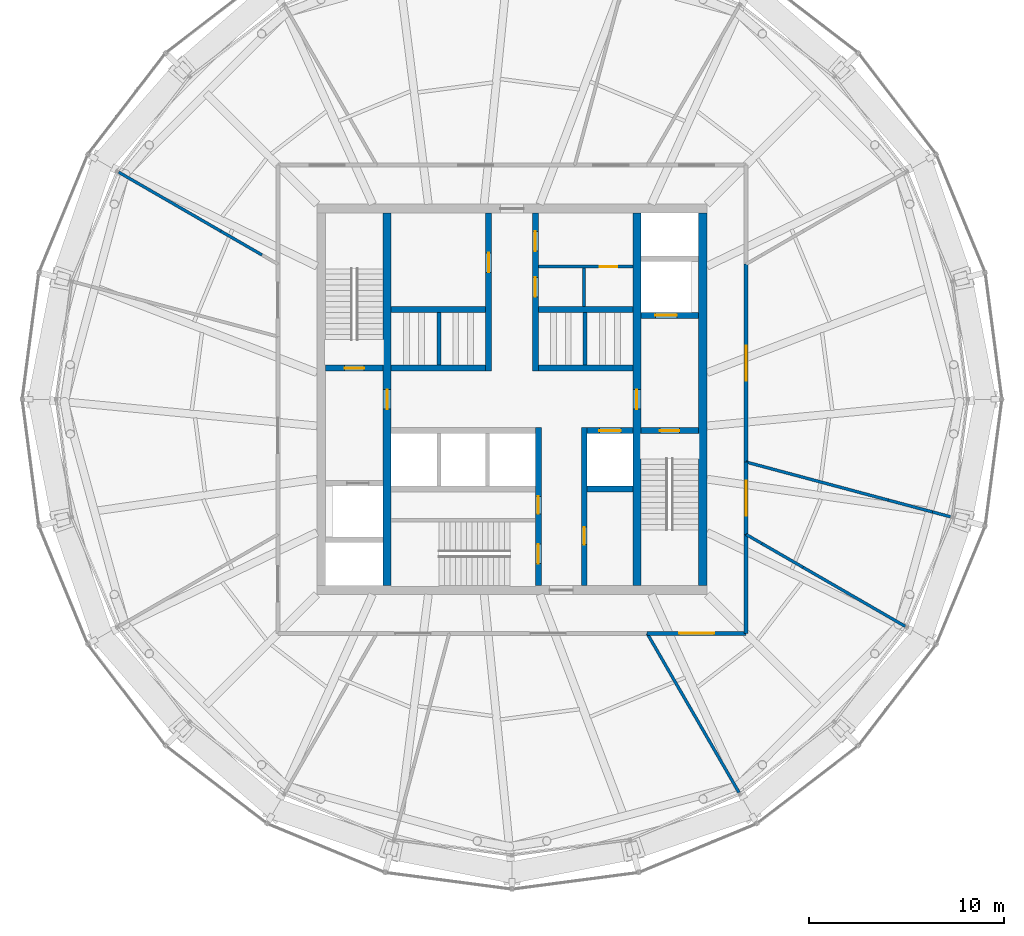
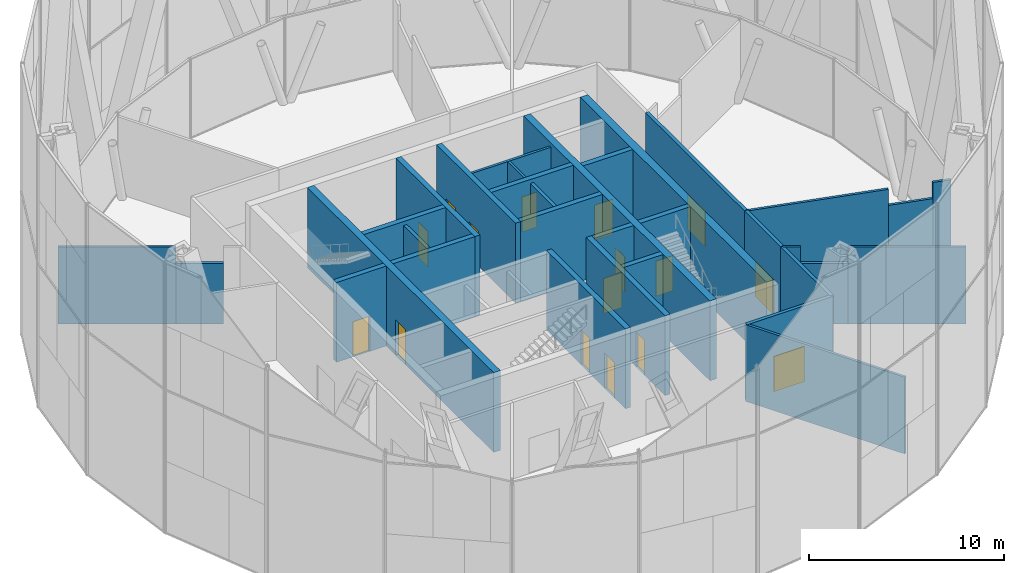
# One storey, part 13 of 15: 33 walls, 16 doors, 16 openings.
"""IFC4 building model written with IfcOpenShell, lengths in metres."""

from ifc_helpers import new_model, si_unit, direction, frame, frame_2d, origin, place, context, subcontext, project, spatial, rectangle, extrude, material, layer, layer_set, type_object, element, fill, save


model = new_model("IFC4")

# Units and contexts
model_context = context("Model", 3, precision=1e-05, world=origin(), true_north=direction((0.0, 1.0)))
body_context = subcontext(model_context, "Body", "Model", "MODEL_VIEW")
ifc_project = project(units=[si_unit("LENGTHUNIT", "METRE"), si_unit("AREAUNIT", "SQUARE_METRE"), si_unit("VOLUMEUNIT", "CUBIC_METRE"), si_unit("PLANEANGLEUNIT", "RADIAN"), si_unit("MASSUNIT", "GRAM", prefix="KILO")], contexts=[model_context])

# Site, building, storey
site_placement = place(None, origin())
site = spatial("IfcSite", under=ifc_project, at=site_placement, CompositionType="ELEMENT")
building_placement = place(site_placement, origin())
building = spatial("IfcBuilding", under=site, at=building_placement, Name="Golbaran Civic Tower", CompositionType="ELEMENT")
storey_placement = place(building_placement, frame((0.0, 0.0, 215.0)))
storey = spatial("IfcBuildingStorey", under=building, at=storey_placement, Name="L52", CompositionType="ELEMENT", Elevation=215.0)

# Wall, opening, door
ifc_material_1 = material(Name="Concrete block", Category="concrete")
ifc_layer_1 = layer(ifc_material_1, 0.14990234375, Name="Concrete block")
ifc_layer_set_1 = layer_set([ifc_layer_1], Name="Concrete block")
wall_type_1 = type_object("IfcWallType", Name="BLOCKWORK PARTITION 150", PredefinedType="PARTITIONING", material=ifc_layer_set_1)
wall_1_placement = place(storey_placement, frame((1.35009765625, 6.800048828125, 0.0), z_axis=(0.0, 0.0, 1.0), x_axis=(1.0, 0.0, 0.0)))
wall_1 = element("IfcWall", 1, at=wall_1_placement, inside=storey, type_object=wall_type_1, Name="Toilet block partition TN1 L52", PredefinedType="PARTITIONING", context=body_context, shape_type="SweptSolid", body=[
    extrude(rectangle(XDim=4.849853515625, YDim=0.14990234375, at=frame_2d((2.4248046875, 0.0))), origin(), (0.0, 0.0, 1.0), 4.75),
])
opening_1_placement = place(wall_1_placement, frame((3.14990234375, 0.0, 0.0)))
opening_1 = element("IfcOpeningElement", 2, at=opening_1_placement, cuts=wall_1, Name="Opening L52.CLN", PredefinedType="OPENING", context=body_context, shape_type="SweptSolid", body=[
    extrude(rectangle(XDim=0.89990234375, YDim=2.199951171875, at=frame_2d((0.449951171875, 1.10009765625))), frame((0.0, 0.0849609375, 0.0), z_axis=(0.0, -1.0, 0.0), x_axis=(1.0, 0.0, 0.0)), (0.0, 0.0, 1.0), 0.169921875),
])
ifc_material_2 = material(Name="Timber door set in steel frame", Category="steel")
door_type_1 = type_object("IfcDoorType", Name="RISER DOOR 900x2200", OperationType="SINGLE_SWING_LEFT", PredefinedType="DOOR", material=ifc_material_2)
door_1_placement = place(opening_1_placement, origin())
door_1 = element("IfcDoor", 3, at=door_1_placement, inside=storey, type_object=door_type_1, Name="Cleaner's Store door", OperationType="SINGLE_SWING_RIGHT", OverallHeight=2.199951171875, OverallWidth=0.89990234375, PredefinedType="DOOR", context=body_context, shape_type="SweptSolid", body=[
    extrude(rectangle(XDim=0.89990234375, YDim=2.199951171875, at=frame_2d((0.449951171875, 1.10009765625))), frame((0.0, 0.02490234375, 0.0), z_axis=(0.0, -1.0, 0.0), x_axis=(1.0, 0.0, 0.0)), (0.0, 0.0, 1.0), 0.050048828125),
])
fill(opening_1, door_1)

# Wall
wall_2_placement = place(storey_placement, frame((3.699951171875, 4.75, 0.0), z_axis=(0.0, 0.0, 1.0), x_axis=(0.0, 1.0, 0.0)))
element("IfcWall", 4, at=wall_2_placement, inside=storey, type_object=wall_type_1, Name="Toilet block partition TN2 L52", PredefinedType="PARTITIONING", context=body_context, shape_type="SweptSolid", body=[
    extrude(rectangle(XDim=1.97509765625, YDim=0.14990234375, at=frame_2d((0.987548828125, 0.0))), origin(), (0.0, 0.0, 1.0), 4.75),
])

# Wall, opening, door
ifc_material_3 = material(Name="Concrete C50/60", Category="concrete")
ifc_layer_2 = layer(ifc_material_3, 0.39990234375, Name="Concrete C50/60")
ifc_layer_set_2 = layer_set([ifc_layer_2], Name="Concrete C50/60")
wall_type_2 = type_object("IfcWallType", Name="CORE WALL CONCRETE 400", PredefinedType="SOLIDWALL", material=ifc_layer_set_2)
wall_3_placement = place(storey_placement, frame((-6.39990234375, -9.550048828125, 0.0), z_axis=(0.0, 0.0, 1.0), x_axis=(0.0, 1.0, 0.0)))
wall_3 = element("IfcWall", 5, at=wall_3_placement, inside=storey, type_object=wall_type_2, Name="Core wall IW L52", PredefinedType="SOLIDWALL", context=body_context, shape_type="SweptSolid", body=[
    extrude(rectangle(XDim=19.10009765625, YDim=0.39990234375, at=frame_2d((9.550048828125, 0.0))), origin(), (0.0, 0.0, 1.0), 5.0),
])
opening_2_placement = place(wall_3_placement, frame((9.050048828125, 0.0, 0.0)))
opening_2 = element("IfcOpeningElement", 6, at=opening_2_placement, cuts=wall_3, Name="Opening L52.FL1", PredefinedType="OPENING", context=body_context, shape_type="SweptSolid", body=[
    extrude(rectangle(XDim=1.0, YDim=2.199951171875, at=frame_2d((0.5, 1.10009765625))), frame((0.0, 0.2099609375, 0.0), z_axis=(0.0, -1.0, 0.0), x_axis=(1.0, 0.0, 0.0)), (0.0, 0.0, 1.0), 0.419921875),
])
door_type_2 = type_object("IfcDoorType", Name="STAIR DOOR 1000x2200", OperationType="SINGLE_SWING_LEFT", PredefinedType="DOOR", material=ifc_material_2)
door_2_placement = place(opening_2_placement, origin())
door_2 = element("IfcDoor", 7, at=door_2_placement, inside=storey, type_object=door_type_2, Name="Fire-fighting lobby FL1 door", OperationType="SINGLE_SWING_LEFT", OverallHeight=2.199951171875, OverallWidth=1.0, PredefinedType="DOOR", context=body_context, shape_type="SweptSolid", body=[
    extrude(rectangle(XDim=1.0, YDim=2.199951171875, at=frame_2d((0.5, 1.10009765625))), frame((0.0, 0.02490234375, 0.0), z_axis=(0.0, -1.0, 0.0), x_axis=(1.0, 0.0, 0.0)), (0.0, 0.0, 1.0), 0.050048828125),
])
fill(opening_2, door_2)

wall_4_placement = place(storey_placement, frame((6.39990234375, 9.550048828125, 0.0), z_axis=(0.0, 0.0, 1.0), x_axis=(0.0, -1.0, 0.0)))
wall_4 = element("IfcWall", 8, at=wall_4_placement, inside=storey, type_object=wall_type_2, Name="Core wall IE L52", PredefinedType="SOLIDWALL", context=body_context, shape_type="SweptSolid", body=[
    extrude(rectangle(XDim=19.10009765625, YDim=0.39990234375, at=frame_2d((9.550048828125, 0.0))), origin(), (0.0, 0.0, 1.0), 5.0),
])
opening_3_placement = place(wall_4_placement, frame((9.050048828125, 0.0, 0.0)))
opening_3 = element("IfcOpeningElement", 9, at=opening_3_placement, cuts=wall_4, Name="Opening L52.FL2", PredefinedType="OPENING", context=body_context, shape_type="SweptSolid", body=[
    extrude(rectangle(XDim=1.0, YDim=2.199951171875, at=frame_2d((0.5, 1.10009765625))), frame((0.0, 0.2099609375, 0.0), z_axis=(0.0, -1.0, 0.0), x_axis=(1.0, 0.0, 0.0)), (0.0, 0.0, 1.0), 0.419921875),
])
door_3_placement = place(opening_3_placement, origin())
door_3 = element("IfcDoor", 10, at=door_3_placement, inside=storey, type_object=door_type_2, Name="Fire-fighting lobby FL2 door", OperationType="SINGLE_SWING_RIGHT", OverallHeight=2.199951171875, OverallWidth=1.0, PredefinedType="DOOR", context=body_context, shape_type="SweptSolid", body=[
    extrude(rectangle(XDim=1.0, YDim=2.199951171875, at=frame_2d((0.5, 1.10009765625))), frame((0.0, 0.02490234375, 0.0), z_axis=(0.0, -1.0, 0.0), x_axis=(1.0, 0.0, 0.0)), (0.0, 0.0, 1.0), 0.050048828125),
])
fill(opening_3, door_3)

# Wall
ifc_layer_3 = layer(ifc_material_3, 0.449951171875, Name="Concrete C50/60")
ifc_layer_set_3 = layer_set([ifc_layer_3], Name="Concrete C50/60")
wall_type_3 = type_object("IfcWallType", Name="CORE WALL CONCRETE 450", PredefinedType="SOLIDWALL", material=ifc_layer_set_3)
wall_5_placement = place(storey_placement, frame((9.77490234375, -9.550048828125, 0.0), z_axis=(0.0, 0.0, 1.0), x_axis=(0.0, 1.0, 0.0)))
element("IfcWall", 11, at=wall_5_placement, inside=storey, type_object=wall_type_3, Name="Core wall CE L52", PredefinedType="SOLIDWALL", context=body_context, shape_type="SweptSolid", body=[
    extrude(rectangle(XDim=19.10009765625, YDim=0.449951171875, at=frame_2d((9.550048828125, 0.0))), origin(), (0.0, 0.0, 1.0), 5.0),
])

# Wall, opening, door
ifc_material_4 = material(Name="Gypsum board on steel studs, fire-rated", Category="steel")
ifc_layer_4 = layer(ifc_material_4, 0.199951171875, Name="Gypsum board on steel studs, fire-rated")
ifc_layer_set_4 = layer_set([ifc_layer_4], Name="Gypsum board on steel studs, fire-rated")
wall_type_4 = type_object("IfcWallType", Name="CORRIDOR WALL 200", PredefinedType="PARTITIONING", material=ifc_layer_set_4)
wall_6_placement = place(storey_placement, frame((12.0, -6.92822265625, 0.0), z_axis=(0.0, 0.0, 1.0), x_axis=(0.0, 1.0, 0.0)))
wall_6 = element("IfcWall", 12, at=wall_6_placement, inside=storey, type_object=wall_type_4, Name="Corridor wall L52", PredefinedType="PARTITIONING", context=body_context, shape_type="SweptSolid", body=[
    extrude(rectangle(XDim=3.712890625, YDim=0.199951171875, at=frame_2d((1.8564453125, 0.0))), origin(), (0.0, 0.0, 1.0), 4.800048828125),
])
opening_4_placement = place(wall_6_placement, frame((0.956298828125, 0.0, 0.0)))
opening_4 = element("IfcOpeningElement", 13, at=opening_4_placement, cuts=wall_6, Name="Opening L52.01", PredefinedType="OPENING", context=body_context, shape_type="SweptSolid", body=[
    extrude(rectangle(XDim=1.800048828125, YDim=2.199951171875, at=frame_2d((0.89990234375, 1.10009765625))), frame((0.0, 0.10986328125, 0.0), z_axis=(0.0, -1.0, 0.0), x_axis=(1.0, 0.0, 0.0)), (0.0, 0.0, 1.0), 0.219970703125),
])
door_type_3 = type_object("IfcDoorType", Name="OFFICE DOUBLE DOOR 1800x2200", OperationType="DOUBLE_DOOR_SINGLE_SWING", PredefinedType="DOOR", material=ifc_material_2)
door_4_placement = place(opening_4_placement, origin())
door_4 = element("IfcDoor", 14, at=door_4_placement, inside=storey, type_object=door_type_3, Name="Refuge Area door L52", OperationType="DOUBLE_DOOR_SINGLE_SWING", OverallHeight=2.199951171875, OverallWidth=1.800048828125, PredefinedType="DOOR", context=body_context, shape_type="SweptSolid", body=[
    extrude(rectangle(XDim=1.800048828125, YDim=2.199951171875, at=frame_2d((0.89990234375, 1.10009765625))), frame((0.0, 0.02490234375, 0.0), z_axis=(0.0, -1.0, 0.0), x_axis=(1.0, 0.0, 0.0)), (0.0, 0.0, 1.0), 0.050048828125),
])
fill(opening_4, door_4)

wall_7_placement = place(storey_placement, frame((12.0, -3.21533203125, 0.0), z_axis=(0.0, 0.0, 1.0), x_axis=(0.0, 1.0, 0.0)))
wall_7 = element("IfcWall", 15, at=wall_7_placement, inside=storey, type_object=wall_type_4, Name="Corridor wall L52", PredefinedType="PARTITIONING", context=body_context, shape_type="SweptSolid", body=[
    extrude(rectangle(XDim=10.1435546875, YDim=0.199951171875, at=frame_2d((5.07177734375, 0.0))), origin(), (0.0, 0.0, 1.0), 4.800048828125),
])
opening_5_placement = place(wall_7_placement, frame((4.171875, 0.0, 0.0)))
opening_5 = element("IfcOpeningElement", 16, at=opening_5_placement, cuts=wall_7, Name="Opening L52.02", PredefinedType="OPENING", context=body_context, shape_type="SweptSolid", body=[
    extrude(rectangle(XDim=1.800048828125, YDim=2.199951171875, at=frame_2d((0.89990234375, 1.10009765625))), frame((0.0, 0.10986328125, 0.0), z_axis=(0.0, -1.0, 0.0), x_axis=(1.0, 0.0, 0.0)), (0.0, 0.0, 1.0), 0.219970703125),
])
door_5_placement = place(opening_5_placement, origin())
door_5 = element("IfcDoor", 17, at=door_5_placement, inside=storey, type_object=door_type_3, Name="Chiller Plant Room door L52", OperationType="DOUBLE_DOOR_SINGLE_SWING", OverallHeight=2.199951171875, OverallWidth=1.800048828125, PredefinedType="DOOR", context=body_context, shape_type="SweptSolid", body=[
    extrude(rectangle(XDim=1.800048828125, YDim=2.199951171875, at=frame_2d((0.89990234375, 1.10009765625))), frame((0.0, 0.02490234375, 0.0), z_axis=(0.0, -1.0, 0.0), x_axis=(1.0, 0.0, 0.0)), (0.0, 0.0, 1.0), 0.050048828125),
])
fill(opening_5, door_5)

wall_8_placement = place(storey_placement, frame((6.92822265625, -12.0, 0.0), z_axis=(0.0, 0.0, 1.0), x_axis=(1.0, 0.0, 0.0)))
wall_8 = element("IfcWall", 18, at=wall_8_placement, inside=storey, type_object=wall_type_4, Name="Corridor wall L52", PredefinedType="PARTITIONING", context=body_context, shape_type="SweptSolid", body=[
    extrude(rectangle(XDim=5.07177734375, YDim=0.199951171875, at=frame_2d((2.535888671875, 0.0))), origin(), (0.0, 0.0, 1.0), 4.800048828125),
])
opening_6_placement = place(wall_8_placement, frame((1.635986328125, 0.0, 0.0)))
opening_6 = element("IfcOpeningElement", 19, at=opening_6_placement, cuts=wall_8, Name="Opening L52.12", PredefinedType="OPENING", context=body_context, shape_type="SweptSolid", body=[
    extrude(rectangle(XDim=1.800048828125, YDim=2.199951171875, at=frame_2d((0.89990234375, 1.10009765625))), frame((0.0, 0.10986328125, 0.0), z_axis=(0.0, -1.0, 0.0), x_axis=(1.0, 0.0, 0.0)), (0.0, 0.0, 1.0), 0.219970703125),
])
door_6_placement = place(opening_6_placement, origin())
door_6 = element("IfcDoor", 20, at=door_6_placement, inside=storey, type_object=door_type_3, Name="Refuge Area door L52", OperationType="DOUBLE_DOOR_SINGLE_SWING", OverallHeight=2.199951171875, OverallWidth=1.800048828125, PredefinedType="DOOR", context=body_context, shape_type="SweptSolid", body=[
    extrude(rectangle(XDim=1.800048828125, YDim=2.199951171875, at=frame_2d((0.89990234375, 1.10009765625))), frame((0.0, 0.02490234375, 0.0), z_axis=(0.0, -1.0, 0.0), x_axis=(1.0, 0.0, 0.0)), (0.0, 0.0, 1.0), 0.050048828125),
])
fill(opening_6, door_6)

# Walls
wall_9_placement = place(storey_placement, frame((12.0, -12.0, 0.0), z_axis=(0.0, 0.0, 1.0), x_axis=(0.0, 1.0, 0.0)))
element("IfcWall", 21, at=wall_9_placement, inside=storey, type_object=wall_type_4, Name="Corridor wall L52", PredefinedType="PARTITIONING", context=body_context, shape_type="SweptSolid", body=[
    extrude(rectangle(XDim=5.07177734375, YDim=0.199951171875, at=frame_2d((2.535888671875, 0.0))), origin(), (0.0, 0.0, 1.0), 4.800048828125),
])
ifc_layer_5 = layer(ifc_material_1, 0.199951171875, Name="Concrete block")
ifc_layer_set_5 = layer_set([ifc_layer_5], Name="Concrete block")
wall_type_5 = type_object("IfcWallType", Name="LIFT SEPARATOR WALL 200", PredefinedType="SOLIDWALL", material=ifc_layer_set_5)
for number, where, z_axis, x_axis, name in (
    (22, (-3.75, 1.75, 0.0), (0.0, 0.0, 1.0), (0.0, 1.0, 0.0), "Core partition SNW L52"),
    (23, (3.75, 1.75, 0.0), (0.0, 0.0, 1.0), (0.0, 1.0, 0.0), "Core partition SNE L52"),
):
    element("IfcWall", number, at=place(storey_placement, frame(where, z_axis=z_axis, x_axis=x_axis)), inside=storey, type_object=wall_type_5, Name=name, PredefinedType="SOLIDWALL", context=body_context, shape_type="SweptSolid", body=[
        extrude(rectangle(XDim=2.699951171875, YDim=0.199951171875, at=frame_2d((1.35009765625, 0.0))), origin(), (0.0, 0.0, 1.0), 4.75),
    ])
ifc_material_5 = material(Name="Gypsum board on steel studs", Category="steel")
ifc_layer_6 = layer(ifc_material_5, 0.14990234375, Name="Gypsum board on steel studs")
ifc_layer_set_6 = layer_set([ifc_layer_6], Name="Gypsum board on steel studs")
wall_type_6 = type_object("IfcWallType", Name="OFFICE PARTITION 150", PredefinedType="PARTITIONING", material=ifc_layer_set_6)
wall_10_placement = place(storey_placement, frame((12.0, -6.92822265625, 0.0), z_axis=(0.0, 0.0, 1.0), x_axis=(0.866042712228, -0.499970019698, 0.0)))
element("IfcWall", 24, at=wall_10_placement, inside=storey, type_object=wall_type_6, Name="Partition 330 L52", PredefinedType="PARTITIONING", context=body_context, shape_type="SweptSolid", body=[
    extrude(rectangle(XDim=0.93896484375, YDim=0.14990234375, at=frame_2d((0.469482421875, 0.0))), origin(), (0.0, 0.0, 1.0), 4.800048828125),
])
wall_11_placement = place(storey_placement, frame((12.813232421875, -7.397705078125, 0.0), z_axis=(0.0, 0.0, 1.0), x_axis=(0.86601855109, -0.500011869027, 0.0)))
element("IfcWall", 25, at=wall_11_placement, inside=storey, type_object=wall_type_6, Name="Partition 330 L52 (part 2)", PredefinedType="PARTITIONING", context=body_context, shape_type="SweptSolid", body=[
    extrude(rectangle(XDim=2.43408203125, YDim=0.14990234375, at=frame_2d((1.217041015625, 0.0))), origin(), (0.0, 0.0, 1.0), 3.7900390625),
])
wall_12_placement = place(storey_placement, frame((14.921142578125, -8.61474609375, 0.0), z_axis=(0.0, 0.0, 1.0), x_axis=(0.866017437, -0.500013798622, 0.0)))
element("IfcWall", 26, at=wall_12_placement, inside=storey, type_object=wall_type_6, Name="Partition 330 L52 (part 3)", PredefinedType="PARTITIONING", context=body_context, shape_type="SweptSolid", body=[
    extrude(rectangle(XDim=6.044677734375, YDim=0.14990234375, at=frame_2d((3.0224609375, 0.0))), origin(), (0.0, 0.0, 1.0), 4.800048828125),
])
wall_13_placement = place(storey_placement, frame((12.0, -3.21533203125, 0.0), z_axis=(0.0, 0.0, 1.0), x_axis=(0.965923894696, -0.258826253797, 0.0)))
element("IfcWall", 27, at=wall_13_placement, inside=storey, type_object=wall_type_6, Name="Partition 345 L52", PredefinedType="PARTITIONING", context=body_context, shape_type="SweptSolid", body=[
    extrude(rectangle(XDim=7.533935546875, YDim=0.14990234375, at=frame_2d((3.76708984375, 0.0))), origin(), (0.0, 0.0, 1.0), 4.800048828125),
])
wall_14_placement = place(storey_placement, frame((19.277099609375, -5.165283203125, 0.0), z_axis=(0.0, 0.0, 1.0), x_axis=(0.965936478183, -0.258779288421, 0.0)))
element("IfcWall", 28, at=wall_14_placement, inside=storey, type_object=wall_type_6, Name="Partition 345 L52 (part 2)", PredefinedType="PARTITIONING", context=body_context, shape_type="SweptSolid", body=[
    extrude(rectangle(XDim=2.353759765625, YDim=0.14990234375, at=frame_2d((1.1767578125, 0.0))), origin(), (0.0, 0.0, 1.0), 3.7900390625),
])
wall_15_placement = place(storey_placement, frame((21.55078125, -5.7744140625, 0.0), z_axis=(0.0, 0.0, 1.0), x_axis=(0.965872225937, -0.25901900155, 0.0)))
element("IfcWall", 29, at=wall_15_placement, inside=storey, type_object=wall_type_6, Name="Partition 345 L52 (part 3)", PredefinedType="PARTITIONING", context=body_context, shape_type="SweptSolid", body=[
    extrude(rectangle(XDim=0.96337890625, YDim=0.14990234375, at=frame_2d((0.481689453125, 0.0))), origin(), (0.0, 0.0, 1.0), 4.800048828125),
])
wall_16_placement = place(storey_placement, frame((-12.813232421875, 7.397705078125, 0.0), z_axis=(0.0, 0.0, 1.0), x_axis=(-0.86601855109, 0.500011869027, 0.0)))
element("IfcWall", 30, at=wall_16_placement, inside=storey, type_object=wall_type_6, Name="Partition 150 L52 (part 2)", PredefinedType="PARTITIONING", context=body_context, shape_type="SweptSolid", body=[
    extrude(rectangle(XDim=2.43408203125, YDim=0.14990234375, at=frame_2d((1.217041015625, 0.0))), origin(), (0.0, 0.0, 1.0), 3.7900390625),
])
wall_17_placement = place(storey_placement, frame((-14.921142578125, 8.61474609375, 0.0), z_axis=(0.0, 0.0, 1.0), x_axis=(-0.866017437, 0.500013798622, 0.0)))
element("IfcWall", 31, at=wall_17_placement, inside=storey, type_object=wall_type_6, Name="Partition 150 L52 (part 3)", PredefinedType="PARTITIONING", context=body_context, shape_type="SweptSolid", body=[
    extrude(rectangle(XDim=6.044677734375, YDim=0.14990234375, at=frame_2d((3.0224609375, 0.0))), origin(), (0.0, 0.0, 1.0), 4.800048828125),
])
wall_18_placement = place(storey_placement, frame((6.92822265625, -12.0, 0.0), z_axis=(0.0, 0.0, 1.0), x_axis=(0.500008934908, -0.866020245151, 0.0)))
element("IfcWall", 32, at=wall_18_placement, inside=storey, type_object=wall_type_6, Name="Partition 300 L52", PredefinedType="PARTITIONING", context=body_context, shape_type="SweptSolid", body=[
    extrude(rectangle(XDim=9.417724609375, YDim=0.14990234375, at=frame_2d((4.708984375, 0.0))), origin(), (0.0, 0.0, 1.0), 4.800048828125),
])
ifc_layer_7 = layer(ifc_material_3, 0.300048828125, Name="Concrete C50/60")
ifc_layer_set_7 = layer_set([ifc_layer_7], Name="Concrete C50/60")
wall_type_7 = type_object("IfcWallType", Name="SHAFT WALL CONCRETE 300", PredefinedType="SOLIDWALL", material=ifc_layer_set_7)
for number, where, z_axis, x_axis, name in (
    (33, (-6.199951171875, 1.60009765625, 0.0), (0.0, 0.0, 1.0), (1.0, 0.0, 0.0), "Core wall FNW L52"),
    (34, (1.35009765625, 1.60009765625, 0.0), (0.0, 0.0, 1.0), (1.0, 0.0, 0.0), "Core wall FNE L52"),
    (35, (-6.199951171875, 4.60009765625, 0.0), (0.0, 0.0, 1.0), (1.0, 0.0, 0.0), "Core wall BNW L52"),
    (36, (1.35009765625, 4.60009765625, 0.0), (0.0, 0.0, 1.0), (1.0, 0.0, 0.0), "Core wall BNE L52"),
):
    element("IfcWall", number, at=place(storey_placement, frame(where, z_axis=z_axis, x_axis=x_axis)), inside=storey, type_object=wall_type_7, Name=name, PredefinedType="SOLIDWALL", context=body_context, shape_type="SweptSolid", body=[
        extrude(rectangle(XDim=4.849853515625, YDim=0.300048828125, at=frame_2d((2.4248046875, 0.0))), origin(), (0.0, 0.0, 1.0), 5.0),
    ])

# Wall, opening, door
wall_19_placement = place(storey_placement, frame((-1.199951171875, 1.449951171875, 0.0), z_axis=(0.0, 0.0, 1.0), x_axis=(0.0, 1.0, 0.0)))
wall_19 = element("IfcWall", 37, at=wall_19_placement, inside=storey, type_object=wall_type_7, Name="Core wall PNW L52", PredefinedType="SOLIDWALL", context=body_context, shape_type="SweptSolid", body=[
    extrude(rectangle(XDim=8.10009765625, YDim=0.300048828125, at=frame_2d((4.050048828125, 0.0))), origin(), (0.0, 0.0, 1.0), 5.0),
])
opening_7_placement = place(wall_19_placement, frame((5.050048828125, 0.0, 0.0)))
opening_7 = element("IfcOpeningElement", 38, at=opening_7_placement, cuts=wall_19, Name="Opening L52.WCM", PredefinedType="OPENING", context=body_context, shape_type="SweptSolid", body=[
    extrude(rectangle(XDim=1.0, YDim=2.199951171875, at=frame_2d((0.5, 1.10009765625))), frame((0.0, 0.159912109375, 0.0), z_axis=(0.0, -1.0, 0.0), x_axis=(1.0, 0.0, 0.0)), (0.0, 0.0, 1.0), 0.320068359375),
])
door_type_4 = type_object("IfcDoorType", Name="TOILET DOOR 1000x2200", OperationType="SINGLE_SWING_LEFT", PredefinedType="DOOR", material=ifc_material_2)
door_7_placement = place(opening_7_placement, origin())
door_7 = element("IfcDoor", 39, at=door_7_placement, inside=storey, type_object=door_type_4, Name="North-west toilet block door", OperationType="SINGLE_SWING_RIGHT", OverallHeight=2.199951171875, OverallWidth=1.0, PredefinedType="DOOR", context=body_context, shape_type="SweptSolid", body=[
    extrude(rectangle(XDim=1.0, YDim=2.199951171875, at=frame_2d((0.5, 1.10009765625))), frame((0.0, 0.02490234375, 0.0), z_axis=(0.0, -1.0, 0.0), x_axis=(1.0, 0.0, 0.0)), (0.0, 0.0, 1.0), 0.050048828125),
])
fill(opening_7, door_7)

# Wall, openings, doors
wall_20_placement = place(storey_placement, frame((1.199951171875, 1.449951171875, 0.0), z_axis=(0.0, 0.0, 1.0), x_axis=(0.0, 1.0, 0.0)))
wall_20 = element("IfcWall", 40, at=wall_20_placement, inside=storey, type_object=wall_type_7, Name="Core wall PNE L52", PredefinedType="SOLIDWALL", context=body_context, shape_type="SweptSolid", body=[
    extrude(rectangle(XDim=8.10009765625, YDim=0.300048828125, at=frame_2d((4.050048828125, 0.0))), origin(), (0.0, 0.0, 1.0), 5.0),
])
opening_8_placement = place(wall_20_placement, frame((3.800048828125, 0.0, 0.0)))
opening_8 = element("IfcOpeningElement", 41, at=opening_8_placement, cuts=wall_20, Name="Opening L52.WCA", PredefinedType="OPENING", context=body_context, shape_type="SweptSolid", body=[
    extrude(rectangle(XDim=1.0, YDim=2.199951171875, at=frame_2d((0.5, 1.10009765625))), frame((0.0, 0.159912109375, 0.0), z_axis=(0.0, -1.0, 0.0), x_axis=(1.0, 0.0, 0.0)), (0.0, 0.0, 1.0), 0.320068359375),
])
opening_9_placement = place(wall_20_placement, frame((6.14990234375, 0.0, 0.0)))
opening_9 = element("IfcOpeningElement", 42, at=opening_9_placement, cuts=wall_20, Name="Opening L52.WCF", PredefinedType="OPENING", context=body_context, shape_type="SweptSolid", body=[
    extrude(rectangle(XDim=1.0, YDim=2.199951171875, at=frame_2d((0.5, 1.10009765625))), frame((0.0, 0.159912109375, 0.0), z_axis=(0.0, -1.0, 0.0), x_axis=(1.0, 0.0, 0.0)), (0.0, 0.0, 1.0), 0.320068359375),
])
door_8_placement = place(opening_8_placement, origin())
door_8 = element("IfcDoor", 43, at=door_8_placement, inside=storey, type_object=door_type_4, Name="Accessible WC door", OperationType="SINGLE_SWING_RIGHT", OverallHeight=2.199951171875, OverallWidth=1.0, PredefinedType="DOOR", context=body_context, shape_type="SweptSolid", body=[
    extrude(rectangle(XDim=1.0, YDim=2.199951171875, at=frame_2d((0.5, 1.10009765625))), frame((0.0, 0.02490234375, 0.0), z_axis=(0.0, -1.0, 0.0), x_axis=(1.0, 0.0, 0.0)), (0.0, 0.0, 1.0), 0.050048828125),
])
fill(opening_8, door_8)
door_9_placement = place(opening_9_placement, origin())
door_9 = element("IfcDoor", 44, at=door_9_placement, inside=storey, type_object=door_type_4, Name="North-east toilet block door", OperationType="SINGLE_SWING_RIGHT", OverallHeight=2.199951171875, OverallWidth=1.0, PredefinedType="DOOR", context=body_context, shape_type="SweptSolid", body=[
    extrude(rectangle(XDim=1.0, YDim=2.199951171875, at=frame_2d((0.5, 1.10009765625))), frame((0.0, 0.02490234375, 0.0), z_axis=(0.0, -1.0, 0.0), x_axis=(1.0, 0.0, 0.0)), (0.0, 0.0, 1.0), 0.050048828125),
])
fill(opening_9, door_9)

# Wall, opening, door
wall_21_placement = place(storey_placement, frame((3.85009765625, -1.60009765625, 0.0), z_axis=(0.0, 0.0, 1.0), x_axis=(1.0, 0.0, 0.0)))
wall_21 = element("IfcWall", 45, at=wall_21_placement, inside=storey, type_object=wall_type_7, Name="Core wall FSE L52", PredefinedType="SOLIDWALL", context=body_context, shape_type="SweptSolid", body=[
    extrude(rectangle(XDim=2.349853515625, YDim=0.300048828125, at=frame_2d((1.1748046875, 0.0))), origin(), (0.0, 0.0, 1.0), 5.0),
])
opening_10_placement = place(wall_21_placement, frame((0.625, 0.0, 0.0)))
opening_10 = element("IfcOpeningElement", 46, at=opening_10_placement, cuts=wall_21, Name="Opening L52.LD-V1", PredefinedType="OPENING", context=body_context, shape_type="SweptSolid", body=[
    extrude(rectangle(XDim=1.10009765625, YDim=2.199951171875, at=frame_2d((0.550048828125, 1.10009765625))), frame((0.0, 0.159912109375, 0.0), z_axis=(0.0, -1.0, 0.0), x_axis=(1.0, 0.0, 0.0)), (0.0, 0.0, 1.0), 0.320068359375),
])
ifc_material_6 = material(Name="Stainless steel", Category="steel")
door_type_5 = type_object("IfcDoorType", Name="LIFT LANDING DOOR 1100x2200", OperationType="SLIDING_TO_LEFT", PredefinedType="DOOR", material=ifc_material_6)
door_10_placement = place(opening_10_placement, origin())
door_10 = element("IfcDoor", 47, at=door_10_placement, inside=storey, type_object=door_type_5, Name="Lift landing door V1", OperationType="SLIDING_TO_LEFT", OverallHeight=2.199951171875, OverallWidth=1.10009765625, PredefinedType="DOOR", context=body_context, shape_type="SweptSolid", body=[
    extrude(rectangle(XDim=1.10009765625, YDim=2.199951171875, at=frame_2d((0.550048828125, 1.10009765625))), frame((0.0, 0.02490234375, 0.0), z_axis=(0.0, -1.0, 0.0), x_axis=(1.0, 0.0, 0.0)), (0.0, 0.0, 1.0), 0.050048828125),
])
fill(opening_10, door_10)

# Wall
wall_22_placement = place(storey_placement, frame((3.85009765625, -4.60009765625, 0.0), z_axis=(0.0, 0.0, 1.0), x_axis=(1.0, 0.0, 0.0)))
element("IfcWall", 48, at=wall_22_placement, inside=storey, type_object=wall_type_7, Name="Core wall BSE L52", PredefinedType="SOLIDWALL", context=body_context, shape_type="SweptSolid", body=[
    extrude(rectangle(XDim=2.349853515625, YDim=0.300048828125, at=frame_2d((1.1748046875, 0.0))), origin(), (0.0, 0.0, 1.0), 5.0),
])

# Wall, openings, doors
wall_23_placement = place(storey_placement, frame((1.35009765625, -1.449951171875, 0.0), z_axis=(0.0, 0.0, 1.0), x_axis=(0.0, -1.0, 0.0)))
wall_23 = element("IfcWall", 49, at=wall_23_placement, inside=storey, type_object=wall_type_7, Name="Core wall PSW L52", PredefinedType="SOLIDWALL", context=body_context, shape_type="SweptSolid", body=[
    extrude(rectangle(XDim=8.10009765625, YDim=0.300048828125, at=frame_2d((4.050048828125, 0.0))), origin(), (0.0, 0.0, 1.0), 5.0),
])
opening_11_placement = place(wall_23_placement, frame((5.97509765625, 0.0, 0.0)))
opening_11 = element("IfcOpeningElement", 50, at=opening_11_placement, cuts=wall_23, Name="Opening L52.S3", PredefinedType="OPENING", context=body_context, shape_type="SweptSolid", body=[
    extrude(rectangle(XDim=1.0, YDim=2.199951171875, at=frame_2d((0.5, 1.10009765625))), frame((0.0, 0.159912109375, 0.0), z_axis=(0.0, -1.0, 0.0), x_axis=(1.0, 0.0, 0.0)), (0.0, 0.0, 1.0), 0.320068359375),
])
opening_12_placement = place(wall_23_placement, frame((3.52490234375, 0.0, 0.0)))
opening_12 = element("IfcOpeningElement", 51, at=opening_12_placement, cuts=wall_23, Name="Opening L52.RE", PredefinedType="OPENING", context=body_context, shape_type="SweptSolid", body=[
    extrude(rectangle(XDim=0.89990234375, YDim=2.199951171875, at=frame_2d((0.449951171875, 1.10009765625))), frame((0.0, 0.159912109375, 0.0), z_axis=(0.0, -1.0, 0.0), x_axis=(1.0, 0.0, 0.0)), (0.0, 0.0, 1.0), 0.320068359375),
])
door_11_placement = place(opening_12_placement, origin())
door_11 = element("IfcDoor", 52, at=door_11_placement, inside=storey, type_object=door_type_1, Name="Electrical riser door", OperationType="SINGLE_SWING_LEFT", OverallHeight=2.199951171875, OverallWidth=0.89990234375, PredefinedType="DOOR", context=body_context, shape_type="SweptSolid", body=[
    extrude(rectangle(XDim=0.89990234375, YDim=2.199951171875, at=frame_2d((0.449951171875, 1.10009765625))), frame((0.0, 0.02490234375, 0.0), z_axis=(0.0, -1.0, 0.0), x_axis=(1.0, 0.0, 0.0)), (0.0, 0.0, 1.0), 0.050048828125),
])
fill(opening_12, door_11)
door_12_placement = place(opening_11_placement, origin())
door_12 = element("IfcDoor", 53, at=door_12_placement, inside=storey, type_object=door_type_2, Name="Stair S3 door", OperationType="SINGLE_SWING_RIGHT", OverallHeight=2.199951171875, OverallWidth=1.0, PredefinedType="DOOR", context=body_context, shape_type="SweptSolid", body=[
    extrude(rectangle(XDim=1.0, YDim=2.199951171875, at=frame_2d((0.5, 1.10009765625))), frame((0.0, 0.02490234375, 0.0), z_axis=(0.0, -1.0, 0.0), x_axis=(1.0, 0.0, 0.0)), (0.0, 0.0, 1.0), 0.050048828125),
])
fill(opening_11, door_12)

# Wall, opening, door
wall_24_placement = place(storey_placement, frame((3.699951171875, -1.449951171875, 0.0), z_axis=(0.0, 0.0, 1.0), x_axis=(0.0, -1.0, 0.0)))
wall_24 = element("IfcWall", 54, at=wall_24_placement, inside=storey, type_object=wall_type_7, Name="Core wall PSE L52", PredefinedType="SOLIDWALL", context=body_context, shape_type="SweptSolid", body=[
    extrude(rectangle(XDim=8.10009765625, YDim=0.300048828125, at=frame_2d((4.050048828125, 0.0))), origin(), (0.0, 0.0, 1.0), 5.0),
])
opening_13_placement = place(wall_24_placement, frame((5.10009765625, 0.0, 0.0)))
opening_13 = element("IfcOpeningElement", 55, at=opening_13_placement, cuts=wall_24, Name="Opening L52.RM", PredefinedType="OPENING", context=body_context, shape_type="SweptSolid", body=[
    extrude(rectangle(XDim=0.89990234375, YDim=2.199951171875, at=frame_2d((0.449951171875, 1.10009765625))), frame((0.0, 0.159912109375, 0.0), z_axis=(0.0, -1.0, 0.0), x_axis=(1.0, 0.0, 0.0)), (0.0, 0.0, 1.0), 0.320068359375),
])
door_13_placement = place(opening_13_placement, origin())
door_13 = element("IfcDoor", 56, at=door_13_placement, inside=storey, type_object=door_type_1, Name="Mechanical riser door", OperationType="SINGLE_SWING_RIGHT", OverallHeight=2.199951171875, OverallWidth=0.89990234375, PredefinedType="DOOR", context=body_context, shape_type="SweptSolid", body=[
    extrude(rectangle(XDim=0.89990234375, YDim=2.199951171875, at=frame_2d((0.449951171875, 1.10009765625))), frame((0.0, 0.02490234375, 0.0), z_axis=(0.0, -1.0, 0.0), x_axis=(1.0, 0.0, 0.0)), (0.0, 0.0, 1.0), 0.050048828125),
])
fill(opening_13, door_13)

wall_25_placement = place(storey_placement, frame((-9.550048828125, 1.60009765625, 0.0), z_axis=(0.0, 0.0, 1.0), x_axis=(1.0, 0.0, 0.0)))
wall_25 = element("IfcWall", 57, at=wall_25_placement, inside=storey, type_object=wall_type_7, Name="Core wall XW1 L52", PredefinedType="SOLIDWALL", context=body_context, shape_type="SweptSolid", body=[
    extrude(rectangle(XDim=2.949951171875, YDim=0.300048828125, at=frame_2d((1.47509765625, 0.0))), origin(), (0.0, 0.0, 1.0), 5.0),
])
opening_14_placement = place(wall_25_placement, frame((0.97509765625, 0.0, 0.0)))
opening_14 = element("IfcOpeningElement", 58, at=opening_14_placement, cuts=wall_25, Name="Opening L52.S1", PredefinedType="OPENING", context=body_context, shape_type="SweptSolid", body=[
    extrude(rectangle(XDim=1.0, YDim=2.199951171875, at=frame_2d((0.5, 1.10009765625))), frame((0.0, 0.159912109375, 0.0), z_axis=(0.0, -1.0, 0.0), x_axis=(1.0, 0.0, 0.0)), (0.0, 0.0, 1.0), 0.320068359375),
])
door_14_placement = place(opening_14_placement, origin())
door_14 = element("IfcDoor", 59, at=door_14_placement, inside=storey, type_object=door_type_2, Name="Stair S1 door", OperationType="SINGLE_SWING_LEFT", OverallHeight=2.199951171875, OverallWidth=1.0, PredefinedType="DOOR", context=body_context, shape_type="SweptSolid", body=[
    extrude(rectangle(XDim=1.0, YDim=2.199951171875, at=frame_2d((0.5, 1.10009765625))), frame((0.0, 0.02490234375, 0.0), z_axis=(0.0, -1.0, 0.0), x_axis=(1.0, 0.0, 0.0)), (0.0, 0.0, 1.0), 0.050048828125),
])
fill(opening_14, door_14)

wall_26_placement = place(storey_placement, frame((6.60009765625, -1.60009765625, 0.0), z_axis=(0.0, 0.0, 1.0), x_axis=(1.0, 0.0, 0.0)))
wall_26 = element("IfcWall", 60, at=wall_26_placement, inside=storey, type_object=wall_type_7, Name="Core wall XE1 L52", PredefinedType="SOLIDWALL", context=body_context, shape_type="SweptSolid", body=[
    extrude(rectangle(XDim=2.949951171875, YDim=0.300048828125, at=frame_2d((1.47509765625, 0.0))), origin(), (0.0, 0.0, 1.0), 5.0),
])
opening_15_placement = place(wall_26_placement, frame((0.97509765625, 0.0, 0.0)))
opening_15 = element("IfcOpeningElement", 61, at=opening_15_placement, cuts=wall_26, Name="Opening L52.S2", PredefinedType="OPENING", context=body_context, shape_type="SweptSolid", body=[
    extrude(rectangle(XDim=1.0, YDim=2.199951171875, at=frame_2d((0.5, 1.10009765625))), frame((0.0, 0.159912109375, 0.0), z_axis=(0.0, -1.0, 0.0), x_axis=(1.0, 0.0, 0.0)), (0.0, 0.0, 1.0), 0.320068359375),
])
door_15_placement = place(opening_15_placement, origin())
door_15 = element("IfcDoor", 62, at=door_15_placement, inside=storey, type_object=door_type_2, Name="Stair S2 door", OperationType="SINGLE_SWING_LEFT", OverallHeight=2.199951171875, OverallWidth=1.0, PredefinedType="DOOR", context=body_context, shape_type="SweptSolid", body=[
    extrude(rectangle(XDim=1.0, YDim=2.199951171875, at=frame_2d((0.5, 1.10009765625))), frame((0.0, 0.02490234375, 0.0), z_axis=(0.0, -1.0, 0.0), x_axis=(1.0, 0.0, 0.0)), (0.0, 0.0, 1.0), 0.050048828125),
])
fill(opening_15, door_15)

wall_27_placement = place(storey_placement, frame((6.60009765625, 4.300048828125, 0.0), z_axis=(0.0, 0.0, 1.0), x_axis=(1.0, 0.0, 0.0)))
wall_27 = element("IfcWall", 63, at=wall_27_placement, inside=storey, type_object=wall_type_7, Name="Core wall XE2 L52", PredefinedType="SOLIDWALL", context=body_context, shape_type="SweptSolid", body=[
    extrude(rectangle(XDim=2.949951171875, YDim=0.300048828125, at=frame_2d((1.47509765625, 0.0))), origin(), (0.0, 0.0, 1.0), 5.0),
])
opening_16_placement = place(wall_27_placement, frame((0.75, 0.0, 0.0)))
opening_16 = element("IfcOpeningElement", 64, at=opening_16_placement, cuts=wall_27, Name="Opening L52.LD-F2", PredefinedType="OPENING", context=body_context, shape_type="SweptSolid", body=[
    extrude(rectangle(XDim=1.10009765625, YDim=2.199951171875, at=frame_2d((0.550048828125, 1.10009765625))), frame((0.0, 0.159912109375, 0.0), z_axis=(0.0, -1.0, 0.0), x_axis=(1.0, 0.0, 0.0)), (0.0, 0.0, 1.0), 0.320068359375),
])
door_16_placement = place(opening_16_placement, origin())
door_16 = element("IfcDoor", 65, at=door_16_placement, inside=storey, type_object=door_type_5, Name="Lift landing door F2", OperationType="SLIDING_TO_LEFT", OverallHeight=2.199951171875, OverallWidth=1.10009765625, PredefinedType="DOOR", context=body_context, shape_type="SweptSolid", body=[
    extrude(rectangle(XDim=1.10009765625, YDim=2.199951171875, at=frame_2d((0.550048828125, 1.10009765625))), frame((0.0, 0.02490234375, 0.0), z_axis=(0.0, -1.0, 0.0), x_axis=(1.0, 0.0, 0.0)), (0.0, 0.0, 1.0), 0.050048828125),
])
fill(opening_16, door_16)

save(model, "model.ifc")
